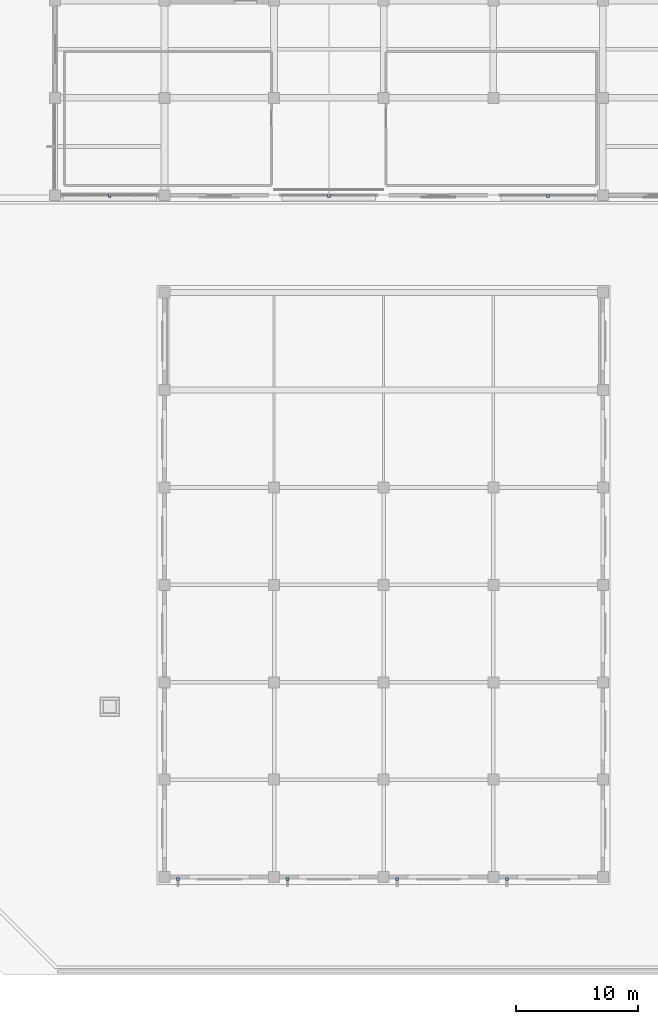
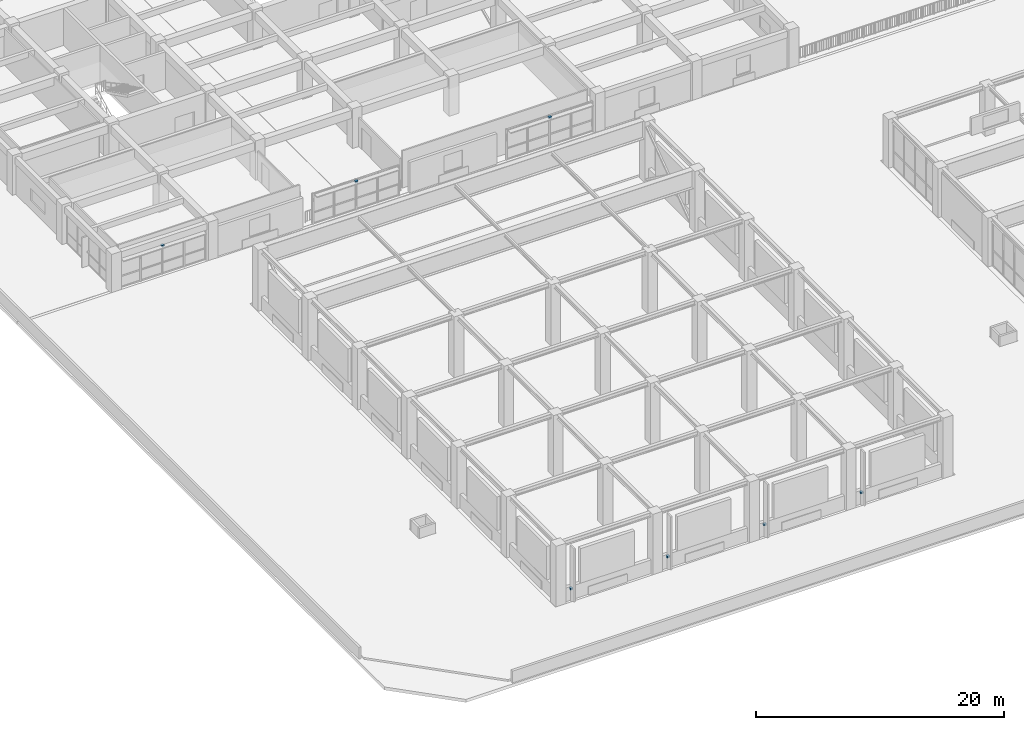
# One storey, part 26 of 34: 7 discrete accessories.
"""IFC4 building model written with IfcOpenShell, lengths in metres."""

import ifcopenshell
import ifcopenshell.guid

model = None  # the IFC model being written
_history = None  # IfcOwnerHistory: only IFC2X3 demands one
_inside = {}  # id of a spatial element -> (the spatial element, [elements in it])
_under = {}  # id of a project, library or spatial element -> (it, [spatial elements below it])
_declared = {}  # id of a project -> (the project, [libraries it declares])
_typed = {}  # id of a type object -> (the type object, [elements of that type])
_made_of = {}  # id of a material, layer set ... -> (it, [elements and type objects made of it])


def new_model(schema):
    """Start an empty IFC model of exactly this schema.

    Asked for "IFC4X3", IfcOpenShell would pick the latest addendum, in which some entities
    have other attributes; the version numbers below select the first issue.
    IFC2X3 requires an IfcOwnerHistory on every rooted entity: one is made here for all.
    """
    global model, _history
    if schema == "IFC4X3":
        model = ifcopenshell.file(schema_version=(4, 3, 0, 0))
    else:
        model = ifcopenshell.file(schema=schema)
    _inside.clear()
    _under.clear()
    _declared.clear()
    _typed.clear()
    _made_of.clear()
    _history = None
    if model.schema == "IFC2X3":
        org = make("IfcOrganization", Name="unknown")
        user = make(
            "IfcPersonAndOrganization",
            ThePerson=make("IfcPerson", FamilyName="unknown"),
            TheOrganization=org,
        )
        app = make(
            "IfcApplication",
            ApplicationDeveloper=org,
            Version="unknown",
            ApplicationFullName="unknown",
            ApplicationIdentifier="unknown",
        )
        _history = make(
            "IfcOwnerHistory",
            OwningUser=user,
            OwningApplication=app,
            ChangeAction="ADDED",
            CreationDate=0,
        )
    return model


def make(cls, **values):
    """One entity of the class cls with the attributes given. An attribute that is None is left unset."""
    return model.create_entity(
        cls, **{name: value for name, value in values.items() if value is not None}
    )


def rooted(cls, **values):
    """An entity with a GlobalId (a new one), such as an element, a storey or a relation."""
    return make(cls, GlobalId=ifcopenshell.guid.new(), OwnerHistory=_history, **values)


def si_unit(unit_type, name, prefix=None):
    """IfcSIUnit, for example si_unit("LENGTHUNIT", "METRE", prefix="MILLI")."""
    return make("IfcSIUnit", UnitType=unit_type, Prefix=prefix, Name=name)


def assignment(units):
    """IfcUnitAssignment: the units of a project."""
    return None if units is None else make("IfcUnitAssignment", Units=units)


def point(xyz):
    """IfcCartesianPoint."""
    return None if xyz is None else make("IfcCartesianPoint", Coordinates=xyz)


def direction(xyz):
    """IfcDirection."""
    return None if xyz is None else make("IfcDirection", DirectionRatios=xyz)


def frame(location, z_axis=None, x_axis=None):
    """IfcAxis2Placement3D, a coordinate frame: its origin and axes. An axis left out is left unset."""
    return make(
        "IfcAxis2Placement3D",
        Location=point(location),
        Axis=direction(z_axis),
        RefDirection=direction(x_axis),
    )


def frame_2d(location, x_axis=None):
    """IfcAxis2Placement2D, a coordinate frame in the plane: its origin and x axis."""
    return make(
        "IfcAxis2Placement2D", Location=point(location), RefDirection=direction(x_axis)
    )


def origin():
    """The frame at (0, 0, 0) with its axes left unset."""
    return frame((0.0, 0.0, 0.0))


def origin_2d():
    """The frame at (0, 0) in the plane with its x axis left unset."""
    return frame_2d((0.0, 0.0))


def place(relative_to, where):
    """IfcLocalPlacement: puts the frame where relative to a parent placement (None: the world)."""
    return make(
        "IfcLocalPlacement", PlacementRelTo=relative_to, RelativePlacement=where
    )


def context(
    kind, dimensions, precision=None, world=None, true_north=None, identifier=None
):
    """IfcGeometricRepresentationContext, for example the 3D "Model" context."""
    return make(
        "IfcGeometricRepresentationContext",
        ContextIdentifier=identifier,
        ContextType=kind,
        CoordinateSpaceDimension=dimensions,
        Precision=precision,
        WorldCoordinateSystem=world,
        TrueNorth=true_north,
    )


def subcontext(parent, identifier, kind, view, scale=None):
    """IfcGeometricRepresentationSubContext, for example "Body" below "Model"."""
    return make(
        "IfcGeometricRepresentationSubContext",
        ContextIdentifier=identifier,
        ContextType=kind,
        ParentContext=parent,
        TargetScale=scale,
        TargetView=view,
    )


def project(units=None, contexts=None):
    """IfcProject with its units and contexts."""
    return rooted(
        "IfcProject",
        Name="project",
        RepresentationContexts=contexts,
        UnitsInContext=assignment(units),
    )


def spatial(cls, under=None, at=None, **own):
    """A site, building, storey or space (cls), placed at a placement, below another one or the project."""
    s = rooted(cls, ObjectPlacement=at, **own)
    if under is not None:
        _under.setdefault(under.id(), (under, []))[1].append(s)
    return s


def profile(cls, at=None, kind="AREA", **sizes):
    """A parametric profile (cls). Its sizes go by their IFC names, for example OverallWidth=200.0."""
    return make(cls, ProfileType=kind, Position=at, **sizes)


def rectangle(**sizes):
    """IfcRectangleProfileDef."""
    return profile("IfcRectangleProfileDef", **sizes)


def extrude(swept, where, along, depth):
    """IfcExtrudedAreaSolid: the profile swept, set in the frame where, extruded along a direction by depth."""
    return make(
        "IfcExtrudedAreaSolid",
        SweptArea=swept,
        Position=where,
        ExtrudedDirection=direction(along),
        Depth=depth,
    )


def shape(context_of_items, identifier, shape_type, items):
    """IfcShapeRepresentation: the items that make up one representation, for example the "Body"."""
    return make(
        "IfcShapeRepresentation",
        ContextOfItems=context_of_items,
        RepresentationIdentifier=identifier,
        RepresentationType=shape_type,
        Items=items,
    )


def material(Name=None, Category=None):
    """IfcMaterial."""
    return make("IfcMaterial", Name=Name, Category=Category)


def layer(
    of_material, thickness, ventilated=None, Name=None, Category=None, Priority=None
):
    """IfcMaterialLayer: one layer of a wall or slab, of a material (None: an air gap)."""
    return make(
        "IfcMaterialLayer",
        Material=of_material,
        LayerThickness=thickness,
        IsVentilated=ventilated,
        Name=Name,
        Category=Category,
        Priority=Priority,
    )


def layer_set(layers, Name=None):
    """IfcMaterialLayerSet."""
    return make("IfcMaterialLayerSet", MaterialLayers=layers, LayerSetName=Name)


def made_of(thing, what):
    """Note that an element or type object is made of a material, layer set ...; save() writes the relation."""
    if what is not None:
        _made_of.setdefault(what.id(), (what, []))[1].append(thing)
    return thing


def type_object(cls, material=None, **own):
    """A type object (cls), such as IfcWallType, which elements share."""
    return made_of(rooted(cls, **own), material)


def element(
    cls,
    number,
    at=None,
    inside=None,
    cuts=None,
    type_object=None,
    material=None,
    context=None,
    identifier="Body",
    shape_type=None,
    held_by="IfcProductDefinitionShape",
    body=None,
    shapes=None,
    **own,
):
    """One element of the class cls, such as IfcWall. Its Tag is "e" and its number.

    at: its placement. inside: the storey or other place that contains it. cuts: it is an
    opening in that element (IfcRelVoidsElement). A single representation is given by context,
    identifier, shape_type and body (its items); several are given by shapes. held_by: the class
    of the entity that holds the representations. save() writes the other relations.
    """
    e = rooted(cls, Tag="e%d" % number, ObjectPlacement=at, **own)
    if body is not None:
        shapes = [shape(context, identifier, shape_type, body)]
    if shapes is not None:
        e.Representation = make(held_by, Representations=shapes)
    if inside is not None:
        _inside.setdefault(inside.id(), (inside, []))[1].append(e)
    if cuts is not None:
        rooted(
            "IfcRelVoidsElement", RelatingBuildingElement=cuts, RelatedOpeningElement=e
        )
    if type_object is not None:
        _typed.setdefault(type_object.id(), (type_object, []))[1].append(e)
    return made_of(e, material)


def aggregate(whole, parts):
    """IfcRelAggregates: a whole, such as a stair, and the parts it consists of."""
    return rooted("IfcRelAggregates", RelatingObject=whole, RelatedObjects=parts)


def save(model, path):
    """Write the relations noted so far, then the file.

    IfcRelAggregates (storeys below a building ...), IfcRelContainedInSpatialStructure (elements
    in a storey), IfcRelDefinesByType, IfcRelAssociatesMaterial and IfcRelDeclares: one each for
    every whole, place, type object, material and project.
    """
    for whole, parts in _under.values():
        aggregate(whole, parts)
    for where, things in _inside.values():
        rooted(
            "IfcRelContainedInSpatialStructure",
            RelatedElements=things,
            RelatingStructure=where,
        )
    for kind, things in _typed.values():
        rooted("IfcRelDefinesByType", RelatedObjects=things, RelatingType=kind)
    for what, things in _made_of.values():
        rooted("IfcRelAssociatesMaterial", RelatedObjects=things, RelatingMaterial=what)
    for by, libraries in _declared.values():
        rooted("IfcRelDeclares", RelatingContext=by, RelatedDefinitions=libraries)
    model.write(path)


model = new_model("IFC4")

# Units and contexts
model_context = context("Model", 3, precision=1e-05, world=origin(), true_north=direction((0.0, 1.0)))
body_context = subcontext(model_context, "Body", "Model", "MODEL_VIEW")
ifc_project = project(units=[si_unit("LENGTHUNIT", "METRE"), si_unit("AREAUNIT", "SQUARE_METRE"), si_unit("VOLUMEUNIT", "CUBIC_METRE"), si_unit("PLANEANGLEUNIT", "RADIAN"), si_unit("MASSUNIT", "GRAM", prefix="KILO")], contexts=[model_context])

# Site, building, storey
site_placement = place(None, origin())
site = spatial("IfcSite", under=ifc_project, at=site_placement, CompositionType="ELEMENT")
building_placement = place(site_placement, origin())
building = spatial("IfcBuilding", under=site, at=building_placement, Name="Zaverband Oceanarium and Marine Research Institute", CompositionType="ELEMENT")
storey_placement = place(building_placement, frame((0.0, 0.0, 18.0)))
storey = spatial("IfcBuildingStorey", under=building, at=storey_placement, Name="L04", CompositionType="ELEMENT", Elevation=18.0)

# Discrete accessories
ifc_material = material(Name="Steel S355", Category="steel")
ifc_layer = layer(ifc_material, 0.179931640625, Name="Steel S355")
ifc_layer_set = layer_set([ifc_layer], Name="Steel S355")
discrete_accessory_type = type_object("IfcDiscreteAccessoryType", Name="BRK-STL-200", PredefinedType="BRACKET", material=ifc_layer_set)
for number, where, z_axis, x_axis, name in (
    (1, (13.5, 63.919921875, 2.75), (0.0, 0.0, 1.0), (1.0, 0.0, 0.0), "Galvanized steel facade fin structural bracket BRK-STL-200"),
    (2, (31.5, 63.919921875, 2.75), (0.0, 0.0, 1.0), (1.0, 0.0, 0.0), "Galvanized steel facade fin structural bracket BRK-STL-200"),
    (3, (49.5, 63.919921875, 2.75), (0.0, 0.0, 1.0), (1.0, 0.0, 0.0), "Galvanized steel facade fin structural bracket BRK-STL-200"),
    (4, (19.110107421875, 7.844970703125, 1.06982421875), (0.0, 0.0, 1.0), (1.0, 0.0, 0.0), "Galvanized steel facade fin structural bracket BRK-STL-200"),
    (5, (28.110107421875, 7.844970703125, 1.06982421875), (0.0, 0.0, 1.0), (1.0, 0.0, 0.0), "Galvanized steel facade fin structural bracket BRK-STL-200"),
    (6, (37.110107421875, 7.844970703125, 1.06982421875), (0.0, 0.0, 1.0), (1.0, 0.0, 0.0), "Galvanized steel facade fin structural bracket BRK-STL-200"),
    (7, (46.110107421875, 7.844970703125, 1.06982421875), (0.0, 0.0, 1.0), (1.0, 0.0, 0.0), "Galvanized steel facade fin structural bracket BRK-STL-200"),
):
    element("IfcDiscreteAccessory", number, at=place(storey_placement, frame(where, z_axis=z_axis, x_axis=x_axis)), inside=storey, type_object=discrete_accessory_type, Name=name, PredefinedType="BRACKET", context=body_context, shape_type="SweptSolid", body=[
        extrude(rectangle(XDim=0.239990234375, YDim=0.239990234375, at=origin_2d()), origin(), (0.0, 0.0, 1.0), 0.179931640625),
    ])

save(model, "model.ifc")
